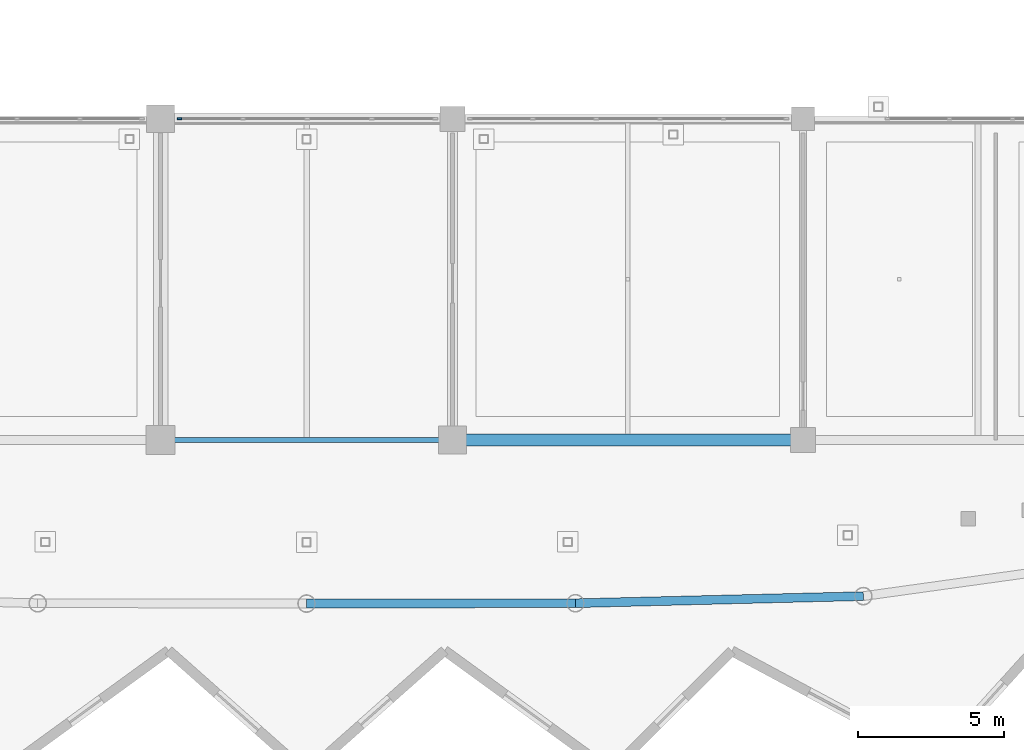
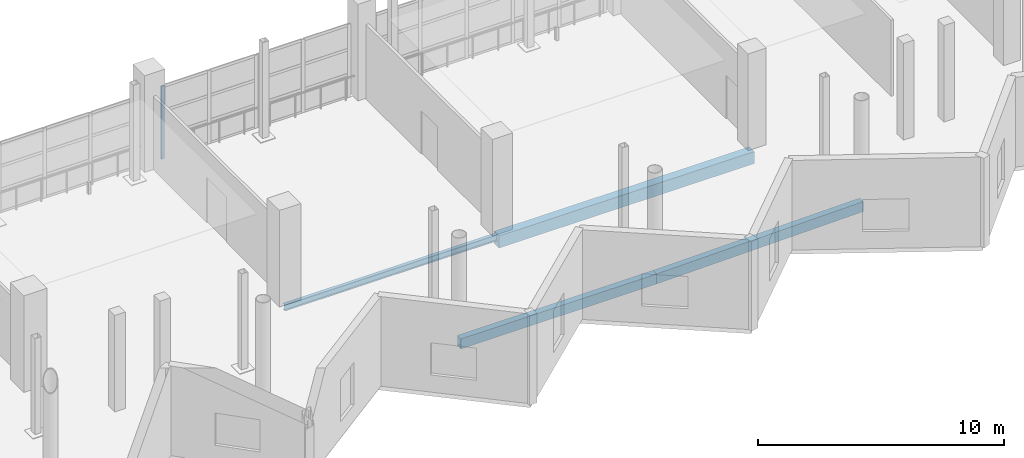
# One storey, part 34 of 143: 4 beams, 1 member, 1 element without a shape of its own.
"""IFC4 building model written with IfcOpenShell, lengths in metres."""

from ifc_helpers import new_model, si_unit, direction, frame, origin, origin_2d, place, context, subcontext, project, spatial, rectangle, hollow_rectangle, i_section, extrude, material, material_profile, profile_set, type_object, element, aggregate, save


model = new_model("IFC4")

# Units and contexts
model_context = context("Model", 3, precision=1e-05, world=origin(), true_north=direction((0.0, 1.0)))
body_context = subcontext(model_context, "Body", "Model", "MODEL_VIEW")
ifc_project = project(units=[si_unit("LENGTHUNIT", "METRE"), si_unit("AREAUNIT", "SQUARE_METRE"), si_unit("VOLUMEUNIT", "CUBIC_METRE"), si_unit("PLANEANGLEUNIT", "RADIAN"), si_unit("MASSUNIT", "GRAM", prefix="KILO")], contexts=[model_context])

# Site, building, storey
site_placement = place(None, origin())
site = spatial("IfcSite", under=ifc_project, at=site_placement, CompositionType="ELEMENT")
building_placement = place(site_placement, origin())
building = spatial("IfcBuilding", under=site, at=building_placement, Name="Luwafu Chhajja Arena", CompositionType="ELEMENT")
storey_placement = place(building_placement, frame((0.0, 0.0, 5.39990234375)))
storey = spatial("IfcBuildingStorey", under=building, at=storey_placement, Name="L01", CompositionType="ELEMENT", Elevation=5.39990234375)

# Curtain wall, member
ifc_material_1 = material(Name="Anodised bronze aluminium", Category="aluminium")
curtain_wall_type = type_object("IfcCurtainWallType", Name="Bowl Concourse Chord Curtain Wall", PredefinedType="USERDEFINED", material=ifc_material_1)
curtain_wall_placement = place(storey_placement, origin())
curtain_wall = element("IfcCurtainWall", 1, at=curtain_wall_placement, inside=storey, type_object=curtain_wall_type, Name="L01 Bowl Viewing Curtain Wall CWR-L01-04", ObjectType="CURTAIN WALL", PredefinedType="USERDEFINED")
ifc_material_profile_1 = material_profile(ifc_material_1, rectangle(XDim=0.06005859375, YDim=0.159912109375, at=origin_2d()), Name="CWM 60x160")
ifc_profile_set_1 = profile_set([ifc_material_profile_1], Name="Anodised bronze aluminium")
member_type = type_object("IfcMemberType", Name="Bronze Curtain Wall Mullion 60x160", PredefinedType="MULLION", material=ifc_profile_set_1)
member_placement = place(storey_placement, frame((94.64501953125, 22.0, 0.0), z_axis=(0.0, 0.0, 1.0), x_axis=(0.0, 1.0, 0.0)))
member = element("IfcMember", 2, at=member_placement, type_object=member_type, Name="CW-01 mullion 1", PredefinedType="MULLION", context=body_context, shape_type="SweptSolid", body=[
    extrude(rectangle(XDim=0.06005859375, YDim=0.159912109375, at=origin_2d()), origin(), (0.0, 0.0, 1.0), 3.64013671875),
])
aggregate(curtain_wall, [member])

# Beams
ifc_material_2 = material(Name="Steel S355", Category="steel")
ifc_material_profile_2 = material_profile(ifc_material_2, i_section(OverallWidth=0.165771484375, OverallDepth=0.306640625, WebThickness=0.006591796875, FlangeThickness=0.01171875, at=origin_2d()), Name="UB 305x165x46")
ifc_profile_set_2 = profile_set([ifc_material_profile_2], Name="Steel S355")
beam_type_1 = type_object("IfcBeamType", Name="Concourse Edge Spandrel Beam UB 305x165x46", PredefinedType="SPANDREL", material=ifc_profile_set_2)
beam_1_placement = place(storey_placement, frame((94.0, 11.0, -0.483154296875), z_axis=(1.0, 0.0, 0.0), x_axis=(0.0, 1.0, 0.0)))
element("IfcBeam", 3, at=beam_1_placement, inside=storey, type_object=beam_type_1, Name="L01 Grid Beam 9-10/B", PredefinedType="SPANDREL", context=body_context, shape_type="SweptSolid", body=[
    extrude(i_section(OverallWidth=0.165771484375, OverallDepth=0.306640625, WebThickness=0.006591796875, FlangeThickness=0.01171875, at=origin_2d()), origin(), (0.0, 0.0, 1.0), 10.0),
])
ifc_material_profile_3 = material_profile(ifc_material_2, hollow_rectangle(XDim=0.300048828125, YDim=0.5, WallThickness=0.02001953125, at=origin_2d()), Name="RHS 500x300x20")
ifc_profile_set_3 = profile_set([ifc_material_profile_3], Name="Steel S355")
beam_type_2 = type_object("IfcBeamType", Name="Pleated Drum Spandrel Beam RHS 500x300", PredefinedType="SPANDREL", material=ifc_profile_set_3)
beam_2_placement = place(storey_placement, frame((99.0, 5.39990234375, -0.579833984375), z_axis=(0.999999155928, 0.001299285621, 0.0), x_axis=(-0.001299285621, 0.999999155928, 0.0)))
element("IfcBeam", 4, at=beam_2_placement, inside=storey, type_object=beam_type_2, Name="L01 Drum Ring Spandrel D25-D26", PredefinedType="SPANDREL", context=body_context, shape_type="SweptSolid", body=[
    extrude(hollow_rectangle(XDim=0.300048828125, YDim=0.5, WallThickness=0.02001953125, at=origin_2d()), origin(), (0.0, 0.0, 1.0), 9.207275390625),
])
beam_3_placement = place(storey_placement, frame((108.207275390625, 5.411865234375, -0.579833984375), z_axis=(0.999695420837, 0.024679253567, 0.0), x_axis=(-0.024679253567, 0.999695420837, 0.0)))
element("IfcBeam", 5, at=beam_3_placement, inside=storey, type_object=beam_type_2, Name="L01 Drum Ring Spandrel D26-D27", PredefinedType="SPANDREL", context=body_context, shape_type="SweptSolid", body=[
    extrude(hollow_rectangle(XDim=0.300048828125, YDim=0.5, WallThickness=0.02001953125, at=origin_2d()), origin(), (0.0, 0.0, 1.0), 9.86279296875),
])
ifc_material_3 = material(Name="Concrete C35/45", Category="concrete")
ifc_material_profile_4 = material_profile(ifc_material_3, rectangle(XDim=0.39990234375, YDim=0.60009765625, at=origin_2d()), Name="RC 400x600")
ifc_profile_set_4 = profile_set([ifc_material_profile_4], Name="Concrete C35/45")
beam_type_3 = type_object("IfcBeamType", Name="Podium Perimeter Spandrel RC 400x600", PredefinedType="SPANDREL", material=ifc_profile_set_4)
beam_4_placement = place(storey_placement, frame((104.0, 11.0, -0.6298828125), z_axis=(1.0, 0.0, 0.0), x_axis=(0.0, 1.0, 0.0)))
element("IfcBeam", 6, at=beam_4_placement, inside=storey, type_object=beam_type_3, Name="L01 Grid Beam 10-11/B", PredefinedType="SPANDREL", context=body_context, shape_type="SweptSolid", body=[
    extrude(rectangle(XDim=0.39990234375, YDim=0.60009765625, at=origin_2d()), origin(), (0.0, 0.0, 1.0), 12.0),
])

save(model, "model.ifc")
